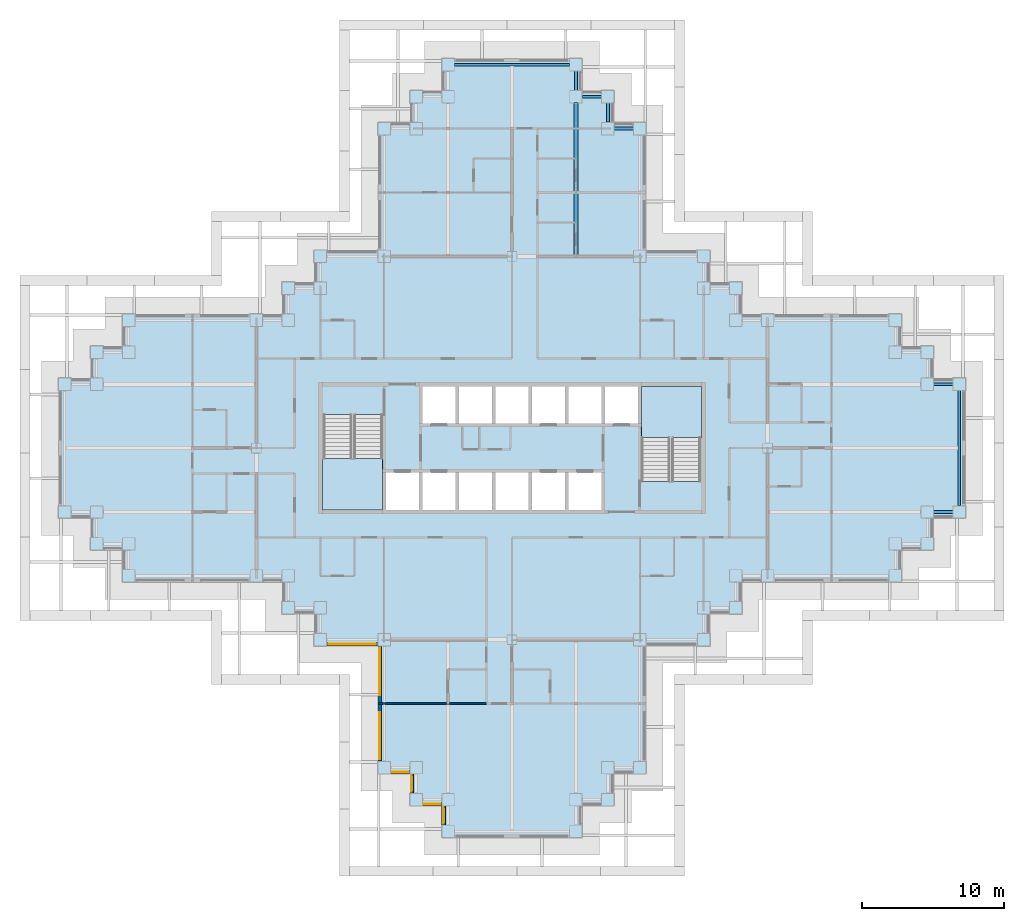
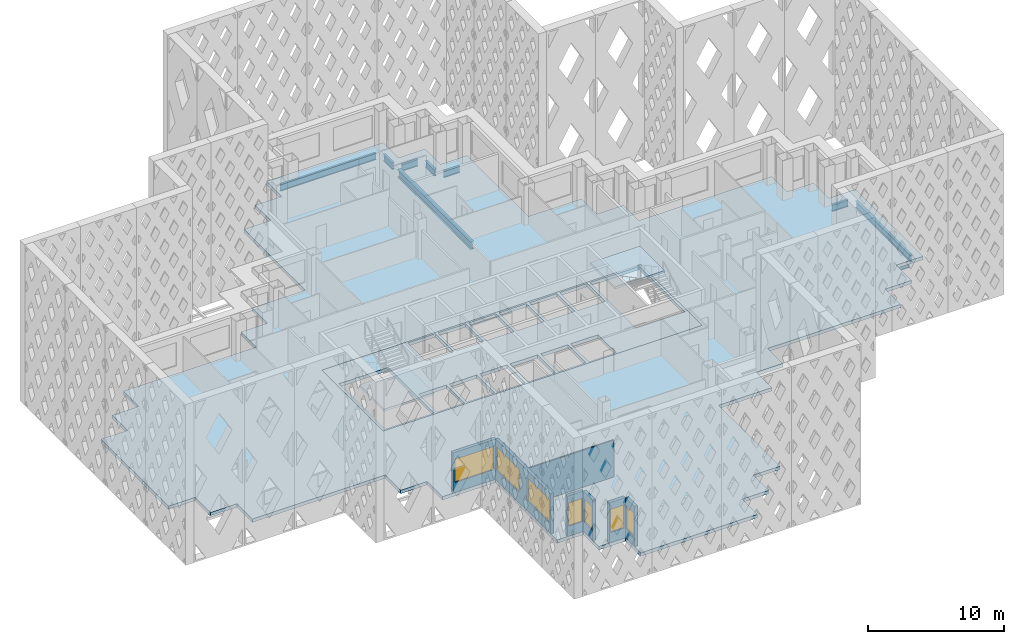
# One storey, part 2 of 21: 9 beams, 7 walls, 7 windows, 4 slabs, 7 openings, 2 elements without a shape of their own.
"""IFC4 building model written with IfcOpenShell, lengths in metres."""

import ifcopenshell
import ifcopenshell.guid

model = None  # the IFC model being written
_history = None  # IfcOwnerHistory: only IFC2X3 demands one
_inside = {}  # id of a spatial element -> (the spatial element, [elements in it])
_under = {}  # id of a project, library or spatial element -> (it, [spatial elements below it])
_declared = {}  # id of a project -> (the project, [libraries it declares])
_typed = {}  # id of a type object -> (the type object, [elements of that type])
_made_of = {}  # id of a material, layer set ... -> (it, [elements and type objects made of it])


def new_model(schema):
    """Start an empty IFC model of exactly this schema.

    Asked for "IFC4X3", IfcOpenShell would pick the latest addendum, in which some entities
    have other attributes; the version numbers below select the first issue.
    IFC2X3 requires an IfcOwnerHistory on every rooted entity: one is made here for all.
    """
    global model, _history
    if schema == "IFC4X3":
        model = ifcopenshell.file(schema_version=(4, 3, 0, 0))
    else:
        model = ifcopenshell.file(schema=schema)
    _inside.clear()
    _under.clear()
    _declared.clear()
    _typed.clear()
    _made_of.clear()
    _history = None
    if model.schema == "IFC2X3":
        org = make("IfcOrganization", Name="unknown")
        user = make(
            "IfcPersonAndOrganization",
            ThePerson=make("IfcPerson", FamilyName="unknown"),
            TheOrganization=org,
        )
        app = make(
            "IfcApplication",
            ApplicationDeveloper=org,
            Version="unknown",
            ApplicationFullName="unknown",
            ApplicationIdentifier="unknown",
        )
        _history = make(
            "IfcOwnerHistory",
            OwningUser=user,
            OwningApplication=app,
            ChangeAction="ADDED",
            CreationDate=0,
        )
    return model


def make(cls, **values):
    """One entity of the class cls with the attributes given. An attribute that is None is left unset."""
    return model.create_entity(
        cls, **{name: value for name, value in values.items() if value is not None}
    )


def rooted(cls, **values):
    """An entity with a GlobalId (a new one), such as an element, a storey or a relation."""
    return make(cls, GlobalId=ifcopenshell.guid.new(), OwnerHistory=_history, **values)


def si_unit(unit_type, name, prefix=None):
    """IfcSIUnit, for example si_unit("LENGTHUNIT", "METRE", prefix="MILLI")."""
    return make("IfcSIUnit", UnitType=unit_type, Prefix=prefix, Name=name)


def assignment(units):
    """IfcUnitAssignment: the units of a project."""
    return None if units is None else make("IfcUnitAssignment", Units=units)


def point(xyz):
    """IfcCartesianPoint."""
    return None if xyz is None else make("IfcCartesianPoint", Coordinates=xyz)


def direction(xyz):
    """IfcDirection."""
    return None if xyz is None else make("IfcDirection", DirectionRatios=xyz)


def frame(location, z_axis=None, x_axis=None):
    """IfcAxis2Placement3D, a coordinate frame: its origin and axes. An axis left out is left unset."""
    return make(
        "IfcAxis2Placement3D",
        Location=point(location),
        Axis=direction(z_axis),
        RefDirection=direction(x_axis),
    )


def frame_2d(location, x_axis=None):
    """IfcAxis2Placement2D, a coordinate frame in the plane: its origin and x axis."""
    return make(
        "IfcAxis2Placement2D", Location=point(location), RefDirection=direction(x_axis)
    )


def origin():
    """The frame at (0, 0, 0) with its axes left unset."""
    return frame((0.0, 0.0, 0.0))


def origin_2d():
    """The frame at (0, 0) in the plane with its x axis left unset."""
    return frame_2d((0.0, 0.0))


def place(relative_to, where):
    """IfcLocalPlacement: puts the frame where relative to a parent placement (None: the world)."""
    return make(
        "IfcLocalPlacement", PlacementRelTo=relative_to, RelativePlacement=where
    )


def context(
    kind, dimensions, precision=None, world=None, true_north=None, identifier=None
):
    """IfcGeometricRepresentationContext, for example the 3D "Model" context."""
    return make(
        "IfcGeometricRepresentationContext",
        ContextIdentifier=identifier,
        ContextType=kind,
        CoordinateSpaceDimension=dimensions,
        Precision=precision,
        WorldCoordinateSystem=world,
        TrueNorth=true_north,
    )


def subcontext(parent, identifier, kind, view, scale=None):
    """IfcGeometricRepresentationSubContext, for example "Body" below "Model"."""
    return make(
        "IfcGeometricRepresentationSubContext",
        ContextIdentifier=identifier,
        ContextType=kind,
        ParentContext=parent,
        TargetScale=scale,
        TargetView=view,
    )


def project(units=None, contexts=None):
    """IfcProject with its units and contexts."""
    return rooted(
        "IfcProject",
        Name="project",
        RepresentationContexts=contexts,
        UnitsInContext=assignment(units),
    )


def spatial(cls, under=None, at=None, **own):
    """A site, building, storey or space (cls), placed at a placement, below another one or the project."""
    s = rooted(cls, ObjectPlacement=at, **own)
    if under is not None:
        _under.setdefault(under.id(), (under, []))[1].append(s)
    return s


def polyline(points):
    """IfcPolyline through the points."""
    return make("IfcPolyline", Points=[point(p) for p in points])


def profile(cls, at=None, kind="AREA", **sizes):
    """A parametric profile (cls). Its sizes go by their IFC names, for example OverallWidth=200.0."""
    return make(cls, ProfileType=kind, Position=at, **sizes)


def rectangle(**sizes):
    """IfcRectangleProfileDef."""
    return profile("IfcRectangleProfileDef", **sizes)


def i_section(**sizes):
    """IfcIShapeProfileDef."""
    return profile("IfcIShapeProfileDef", **sizes)


def outline(outer, holes=None, kind="AREA"):
    """IfcArbitraryClosedProfileDef: a profile drawn as a closed curve; with holes, ...WithVoids."""
    if holes is None:
        return make("IfcArbitraryClosedProfileDef", ProfileType=kind, OuterCurve=outer)
    return make(
        "IfcArbitraryProfileDefWithVoids",
        ProfileType=kind,
        OuterCurve=outer,
        InnerCurves=holes,
    )


def extrude(swept, where, along, depth):
    """IfcExtrudedAreaSolid: the profile swept, set in the frame where, extruded along a direction by depth."""
    return make(
        "IfcExtrudedAreaSolid",
        SweptArea=swept,
        Position=where,
        ExtrudedDirection=direction(along),
        Depth=depth,
    )


def shape(context_of_items, identifier, shape_type, items):
    """IfcShapeRepresentation: the items that make up one representation, for example the "Body"."""
    return make(
        "IfcShapeRepresentation",
        ContextOfItems=context_of_items,
        RepresentationIdentifier=identifier,
        RepresentationType=shape_type,
        Items=items,
    )


def material(Name=None, Category=None):
    """IfcMaterial."""
    return make("IfcMaterial", Name=Name, Category=Category)


def layer(
    of_material, thickness, ventilated=None, Name=None, Category=None, Priority=None
):
    """IfcMaterialLayer: one layer of a wall or slab, of a material (None: an air gap)."""
    return make(
        "IfcMaterialLayer",
        Material=of_material,
        LayerThickness=thickness,
        IsVentilated=ventilated,
        Name=Name,
        Category=Category,
        Priority=Priority,
    )


def layer_set(layers, Name=None):
    """IfcMaterialLayerSet."""
    return make("IfcMaterialLayerSet", MaterialLayers=layers, LayerSetName=Name)


def material_profile(
    of_material, cross_section, Name=None, Category=None, Priority=None
):
    """IfcMaterialProfile: a cross section and its material."""
    return make(
        "IfcMaterialProfile",
        Name=Name,
        Material=of_material,
        Profile=cross_section,
        Priority=Priority,
        Category=Category,
    )


def profile_set(profiles, Name=None, composite=None):
    """IfcMaterialProfileSet."""
    return make(
        "IfcMaterialProfileSet",
        Name=Name,
        MaterialProfiles=profiles,
        CompositeProfile=composite,
    )


def made_of(thing, what):
    """Note that an element or type object is made of a material, layer set ...; save() writes the relation."""
    if what is not None:
        _made_of.setdefault(what.id(), (what, []))[1].append(thing)
    return thing


def type_object(cls, material=None, **own):
    """A type object (cls), such as IfcWallType, which elements share."""
    return made_of(rooted(cls, **own), material)


def element(
    cls,
    number,
    at=None,
    inside=None,
    cuts=None,
    type_object=None,
    material=None,
    context=None,
    identifier="Body",
    shape_type=None,
    held_by="IfcProductDefinitionShape",
    body=None,
    shapes=None,
    **own,
):
    """One element of the class cls, such as IfcWall. Its Tag is "e" and its number.

    at: its placement. inside: the storey or other place that contains it. cuts: it is an
    opening in that element (IfcRelVoidsElement). A single representation is given by context,
    identifier, shape_type and body (its items); several are given by shapes. held_by: the class
    of the entity that holds the representations. save() writes the other relations.
    """
    e = rooted(cls, Tag="e%d" % number, ObjectPlacement=at, **own)
    if body is not None:
        shapes = [shape(context, identifier, shape_type, body)]
    if shapes is not None:
        e.Representation = make(held_by, Representations=shapes)
    if inside is not None:
        _inside.setdefault(inside.id(), (inside, []))[1].append(e)
    if cuts is not None:
        rooted(
            "IfcRelVoidsElement", RelatingBuildingElement=cuts, RelatedOpeningElement=e
        )
    if type_object is not None:
        _typed.setdefault(type_object.id(), (type_object, []))[1].append(e)
    return made_of(e, material)


def fill(opening, filler):
    """IfcRelFillsElement: the door or window that sits in an opening."""
    return rooted(
        "IfcRelFillsElement",
        RelatingOpeningElement=opening,
        RelatedBuildingElement=filler,
    )


def aggregate(whole, parts):
    """IfcRelAggregates: a whole, such as a stair, and the parts it consists of."""
    return rooted("IfcRelAggregates", RelatingObject=whole, RelatedObjects=parts)


def save(model, path):
    """Write the relations noted so far, then the file.

    IfcRelAggregates (storeys below a building ...), IfcRelContainedInSpatialStructure (elements
    in a storey), IfcRelDefinesByType, IfcRelAssociatesMaterial and IfcRelDeclares: one each for
    every whole, place, type object, material and project.
    """
    for whole, parts in _under.values():
        aggregate(whole, parts)
    for where, things in _inside.values():
        rooted(
            "IfcRelContainedInSpatialStructure",
            RelatedElements=things,
            RelatingStructure=where,
        )
    for kind, things in _typed.values():
        rooted("IfcRelDefinesByType", RelatedObjects=things, RelatingType=kind)
    for what, things in _made_of.values():
        rooted("IfcRelAssociatesMaterial", RelatedObjects=things, RelatingMaterial=what)
    for by, libraries in _declared.values():
        rooted("IfcRelDeclares", RelatingContext=by, RelatedDefinitions=libraries)
    model.write(path)


model = new_model("IFC4")

# Units and contexts
model_context = context("Model", 3, precision=1e-05, world=origin(), true_north=direction((0.0, 1.0)))
body_context = subcontext(model_context, "Body", "Model", "MODEL_VIEW")
ifc_project = project(units=[si_unit("LENGTHUNIT", "METRE"), si_unit("AREAUNIT", "SQUARE_METRE"), si_unit("VOLUMEUNIT", "CUBIC_METRE"), si_unit("PLANEANGLEUNIT", "RADIAN"), si_unit("MASSUNIT", "GRAM", prefix="KILO")], contexts=[model_context])

# Site, building, storey
site_placement = place(None, origin())
site = spatial("IfcSite", under=ifc_project, at=site_placement, CompositionType="ELEMENT")
building_placement = place(site_placement, origin())
building = spatial("IfcBuilding", under=site, at=building_placement, Name="Caravel Reach Hotel and Residences", CompositionType="ELEMENT")
storey_placement = place(building_placement, frame((0.0, 0.0, 115.199951171875)))
storey = spatial("IfcBuildingStorey", under=building, at=storey_placement, Name="L28", CompositionType="ELEMENT", Elevation=115.199951171875)

# Beams
ifc_material_1 = material(Name="Structural steel Q355B", Category="steel")
ifc_material_profile_1 = material_profile(ifc_material_1, i_section(OverallWidth=0.300048828125, OverallDepth=0.699951171875, WebThickness=0.012939453125, FlangeThickness=0.02392578125, FilletRadius=0.01806640625, at=origin_2d()), Name="HN 700x300x13x24")
ifc_profile_set_1 = profile_set([ifc_material_profile_1], Name="Structural steel Q355B")
beam_type_1 = type_object("IfcBeamType", Name="Beam HN 700x300x13x24", PredefinedType="BEAM", material=ifc_profile_set_1)
beam_1_placement = place(storey_placement, frame((36.0, 40.60009765625, -0.64990234375), z_axis=(0.0, 1.0, 0.0), x_axis=(-1.0, 0.0, 0.0)))
element("IfcBeam", 1, at=beam_1_placement, inside=storey, type_object=beam_type_1, Name="B2 HN 700x300x13x24", PredefinedType="BEAM", context=body_context, shape_type="SweptSolid", body=[
    extrude(i_section(OverallWidth=0.300048828125, OverallDepth=0.699951171875, WebThickness=0.012939453125, FlangeThickness=0.02392578125, FilletRadius=0.01806640625, at=origin_2d()), origin(), (0.0, 0.0, 1.0), 10.75),
])
ifc_material_2 = material(Name="Structural steel Q355B", Category="steel")
ifc_material_profile_2 = material_profile(ifc_material_2, i_section(OverallWidth=0.199951171875, OverallDepth=0.60009765625, WebThickness=0.010986328125, FlangeThickness=0.01708984375, FilletRadius=0.012939453125, at=origin_2d()), Name="HN 600x200x11x17")
ifc_profile_set_2 = profile_set([ifc_material_profile_2], Name="Structural steel Q355B")
beam_type_2 = type_object("IfcBeamType", Name="Spandrel beam HN 600x200x11x17", PredefinedType="SPANDREL", material=ifc_profile_set_2)
beam_2_placement = place(storey_placement, frame((61.199951171875, 22.5, -0.599853515625), z_axis=(1.0, 0.0, 0.0), x_axis=(0.0, 1.0, 0.0)))
element("IfcBeam", 2, at=beam_2_placement, inside=storey, type_object=beam_type_2, Name="SP1 HN 600x200x11x17", PredefinedType="SPANDREL", context=body_context, shape_type="SweptSolid", body=[
    extrude(i_section(OverallWidth=0.199951171875, OverallDepth=0.60009765625, WebThickness=0.010986328125, FlangeThickness=0.01708984375, FilletRadius=0.012939453125, at=origin_2d()), origin(), (0.0, 0.0, 1.0), 1.35009765625),
])
beam_3_placement = place(storey_placement, frame((63.0, 22.949951171875, -0.599853515625), z_axis=(0.0, 1.0, 0.0), x_axis=(-1.0, 0.0, 0.0)))
element("IfcBeam", 3, at=beam_3_placement, inside=storey, type_object=beam_type_2, Name="SP1 HN 600x200x11x17", PredefinedType="SPANDREL", context=body_context, shape_type="SweptSolid", body=[
    extrude(i_section(OverallWidth=0.199951171875, OverallDepth=0.60009765625, WebThickness=0.010986328125, FlangeThickness=0.01708984375, FilletRadius=0.012939453125, at=origin_2d()), origin(), (0.0, 0.0, 1.0), 8.10009765625),
])
for number, where, z_axis, x_axis, name in (
    (4, (62.550048828125, 31.5, -0.599853515625), (-1.0, 0.0, 0.0), (0.0, -1.0, 0.0), "SP1 HN 600x200x11x17"),
    (5, (40.050048828125, 49.5, -0.599853515625), (-1.0, 0.0, 0.0), (0.0, -1.0, 0.0), "SP1 HN 600x200x11x17"),
    (6, (38.25, 49.949951171875, -0.599853515625), (0.0, 1.0, 0.0), (-1.0, 0.0, 0.0), "SP1 HN 600x200x11x17"),
    (7, (37.800048828125, 51.75, -0.599853515625), (-1.0, 0.0, 0.0), (0.0, -1.0, 0.0), "SP1 HN 600x200x11x17"),
    (8, (36.0, 52.199951171875, -0.599853515625), (0.0, 1.0, 0.0), (-1.0, 0.0, 0.0), "SP1 HN 600x200x11x17"),
):
    element("IfcBeam", number, at=place(storey_placement, frame(where, z_axis=z_axis, x_axis=x_axis)), inside=storey, type_object=beam_type_2, Name=name, PredefinedType="SPANDREL", context=body_context, shape_type="SweptSolid", body=[
        extrude(i_section(OverallWidth=0.199951171875, OverallDepth=0.60009765625, WebThickness=0.010986328125, FlangeThickness=0.01708984375, FilletRadius=0.012939453125, at=origin_2d()), origin(), (0.0, 0.0, 1.0), 1.35009765625),
    ])
beam_4_placement = place(storey_placement, frame((35.550048828125, 54.0, -0.599853515625), z_axis=(-1.0, 0.0, 0.0), x_axis=(0.0, -1.0, 0.0)))
element("IfcBeam", 9, at=beam_4_placement, inside=storey, type_object=beam_type_2, Name="SP1 HN 600x200x11x17", PredefinedType="SPANDREL", context=body_context, shape_type="SweptSolid", body=[
    extrude(i_section(OverallWidth=0.199951171875, OverallDepth=0.60009765625, WebThickness=0.010986328125, FlangeThickness=0.01708984375, FilletRadius=0.012939453125, at=origin_2d()), origin(), (0.0, 0.0, 1.0), 8.10009765625),
])

# Slab
ifc_material_3 = material(Name="Concrete C40", Category="concrete")
ifc_layer_1 = layer(ifc_material_3, 0.300048828125)
ifc_layer_set_1 = layer_set([ifc_layer_1], Name="Core floor slab 300 mm")
slab_type_1 = type_object("IfcSlabType", Name="Core floor slab 300 mm", PredefinedType="FLOOR", material=ifc_layer_set_1)
slab_1_placement = place(storey_placement, frame((0.0, 0.0, -0.300048828125)))
element("IfcSlab", 10, at=slab_1_placement, inside=storey, type_object=slab_type_1, Name="L28 core floor", PredefinedType="FLOOR", context=body_context, shape_type="SweptSolid", body=[
    extrude(outline(polyline([(18.0, 31.5), (45.0, 31.5), (45.0, 22.5), (18.0, 22.5), (18.0, 31.5)]), holes=[polyline([(22.625, 25.27490234375), (22.625, 22.64990234375), (24.9462890625, 22.64990234375), (24.9462890625, 25.27490234375), (22.625, 25.27490234375)]), polyline([(27.517822265625, 25.27490234375), (25.1962890625, 25.27490234375), (25.1962890625, 22.64990234375), (27.517822265625, 22.64990234375), (27.517822265625, 25.27490234375)]), polyline([(30.08935546875, 25.27490234375), (27.767822265625, 25.27490234375), (27.767822265625, 22.64990234375), (30.08935546875, 22.64990234375), (30.08935546875, 25.27490234375)]), polyline([(32.66064453125, 25.27490234375), (30.33935546875, 25.27490234375), (30.33935546875, 22.64990234375), (32.66064453125, 22.64990234375), (32.66064453125, 25.27490234375)]), polyline([(18.22509765625, 22.64990234375), (22.375, 22.64990234375), (22.375, 29.35009765625), (18.22509765625, 29.35009765625), (18.22509765625, 22.64990234375)]), polyline([(27.517822265625, 31.35009765625), (25.1962890625, 31.35009765625), (25.1962890625, 28.72509765625), (27.517822265625, 28.72509765625), (27.517822265625, 31.35009765625)]), polyline([(30.08935546875, 31.35009765625), (27.767822265625, 31.35009765625), (27.767822265625, 28.72509765625), (30.08935546875, 28.72509765625), (30.08935546875, 31.35009765625)]), polyline([(32.91064453125, 25.27490234375), (32.91064453125, 22.64990234375), (35.232177734375, 22.64990234375), (35.232177734375, 25.27490234375), (32.91064453125, 25.27490234375)]), polyline([(37.8037109375, 25.27490234375), (35.482177734375, 25.27490234375), (35.482177734375, 22.64990234375), (37.8037109375, 22.64990234375), (37.8037109375, 25.27490234375)]), polyline([(44.77490234375, 31.35009765625), (40.625, 31.35009765625), (40.625, 24.64990234375), (44.77490234375, 24.64990234375), (44.77490234375, 31.35009765625)]), polyline([(32.66064453125, 31.35009765625), (30.33935546875, 31.35009765625), (30.33935546875, 28.72509765625), (32.66064453125, 28.72509765625), (32.66064453125, 31.35009765625)]), polyline([(35.232177734375, 31.35009765625), (32.91064453125, 31.35009765625), (32.91064453125, 28.72509765625), (35.232177734375, 28.72509765625), (35.232177734375, 31.35009765625)]), polyline([(37.8037109375, 31.35009765625), (35.482177734375, 31.35009765625), (35.482177734375, 28.72509765625), (37.8037109375, 28.72509765625), (37.8037109375, 31.35009765625)]), polyline([(40.375, 31.35009765625), (38.0537109375, 31.35009765625), (38.0537109375, 28.72509765625), (40.375, 28.72509765625), (40.375, 31.35009765625)])]), origin(), (0.0, 0.0, 1.0), 0.300048828125),
])

# Stair, slab
ifc_material_4 = material(Name="Concrete C40", Category="concrete")
stair_type = type_object("IfcStairType", Name="Core stair", PredefinedType="HALF_TURN_STAIR", material=ifc_material_4)
stair_1_placement = place(storey_placement, origin())
stair_1 = element("IfcStair", 11, at=stair_1_placement, inside=storey, type_object=stair_type, Name="L28 Exit stair A", PredefinedType="HALF_TURN_STAIR")
ifc_material_5 = material(Name="Concrete C40", Category="concrete")
ifc_layer_2 = layer(ifc_material_5, 0.199951171875)
ifc_layer_set_2 = layer_set([ifc_layer_2], Name="Core stair landing")
slab_type_2 = type_object("IfcSlabType", Name="Core stair landing", PredefinedType="LANDING", material=ifc_layer_set_2)
slab_2_placement = place(storey_placement, frame((0.0, 0.0, 1.60009765625)))
slab_2 = element("IfcSlab", 12, at=slab_2_placement, type_object=slab_type_2, Name="ST-A landing 1", PredefinedType="LANDING", context=body_context, shape_type="SweptSolid", body=[
    extrude(outline(polyline([(18.14990234375, 26.27001953125), (18.14990234375, 22.64990234375), (22.375, 22.64990234375), (22.375, 26.27001953125), (18.14990234375, 26.27001953125)])), origin(), (0.0, 0.0, 1.0), 0.199951171875),
])
aggregate(stair_1, [slab_2])

stair_2_placement = place(storey_placement, origin())
stair_2 = element("IfcStair", 13, at=stair_2_placement, inside=storey, type_object=stair_type, Name="L28 Exit stair B", PredefinedType="HALF_TURN_STAIR")
slab_3_placement = place(storey_placement, frame((0.0, 0.0, 1.60009765625)))
slab_3 = element("IfcSlab", 14, at=slab_3_placement, type_object=slab_type_2, Name="ST-B landing 1", PredefinedType="LANDING", context=body_context, shape_type="SweptSolid", body=[
    extrude(outline(polyline([(44.85009765625, 27.72998046875), (44.85009765625, 31.35009765625), (40.625, 31.35009765625), (40.625, 27.72998046875), (44.85009765625, 27.72998046875)])), origin(), (0.0, 0.0, 1.0), 0.199951171875),
])
aggregate(stair_2, [slab_3])

# Slab
ifc_material_6 = material(Name="Concrete C40 post-tensioned", Category="concrete")
ifc_layer_3 = layer(ifc_material_6, 0.300048828125)
ifc_layer_set_3 = layer_set([ifc_layer_3], Name="Floor slab 300")
slab_type_3 = type_object("IfcSlabType", Name="Floor slab 300", PredefinedType="FLOOR", material=ifc_layer_set_3)
slab_4_placement = place(storey_placement, frame((0.0, 0.0, -0.300048828125)))
element("IfcSlab", 15, at=slab_4_placement, inside=storey, type_object=slab_type_3, Name="S2 slab L28", PredefinedType="FLOOR", context=body_context, shape_type="SweptSolid", body=[
    extrude(outline(polyline([(17.550048828125, 13.050048828125), (17.550048828125, 15.300048828125), (15.300048828125, 15.300048828125), (15.300048828125, 17.550048828125), (4.050048828125, 17.550048828125), (4.050048828125, 19.800048828125), (1.800048828125, 19.800048828125), (1.800048828125, 22.050048828125), (-0.449951171875, 22.050048828125), (-0.449951171875, 31.949951171875), (1.800048828125, 31.949951171875), (1.800048828125, 34.199951171875), (4.050048828125, 34.199951171875), (4.050048828125, 36.449951171875), (15.300048828125, 36.449951171875), (15.300048828125, 38.699951171875), (17.550048828125, 38.699951171875), (17.550048828125, 40.949951171875), (22.050048828125, 40.949951171875), (22.050048828125, 49.949951171875), (24.300048828125, 49.949951171875), (24.300048828125, 52.199951171875), (26.550048828125, 52.199951171875), (26.550048828125, 54.449951171875), (36.449951171875, 54.449951171875), (36.449951171875, 52.199951171875), (38.699951171875, 52.199951171875), (38.699951171875, 49.949951171875), (40.949951171875, 49.949951171875), (40.949951171875, 40.949951171875), (45.449951171875, 40.949951171875), (45.449951171875, 38.699951171875), (47.699951171875, 38.699951171875), (47.699951171875, 36.449951171875), (58.949951171875, 36.449951171875), (58.949951171875, 34.199951171875), (61.199951171875, 34.199951171875), (61.199951171875, 31.949951171875), (63.449951171875, 31.949951171875), (63.449951171875, 22.050048828125), (61.199951171875, 22.050048828125), (61.199951171875, 19.800048828125), (58.949951171875, 19.800048828125), (58.949951171875, 17.550048828125), (47.699951171875, 17.550048828125), (47.699951171875, 15.300048828125), (45.449951171875, 15.300048828125), (45.449951171875, 13.050048828125), (40.949951171875, 13.050048828125), (40.949951171875, 4.050048828125), (38.699951171875, 4.050048828125), (38.699951171875, 1.800048828125), (36.449951171875, 1.800048828125), (36.449951171875, -0.449951171875), (26.550048828125, -0.449951171875), (26.550048828125, 1.800048828125), (24.300048828125, 1.800048828125), (24.300048828125, 4.050048828125), (22.050048828125, 4.050048828125), (22.050048828125, 13.050048828125), (17.550048828125, 13.050048828125)]), holes=[polyline([(45.0, 31.5), (18.0, 31.5), (18.0, 22.5), (45.0, 22.5), (45.0, 31.5)])]), origin(), (0.0, 0.0, 1.0), 0.300048828125),
])

# Wall, opening, window
ifc_material_7 = material(Name="Insulated rainscreen wall, aluminium cladding", Category="aluminium")
ifc_layer_4 = layer(ifc_material_7, 0.25)
ifc_layer_set_4 = layer_set([ifc_layer_4], Name="EW1 Tower rainscreen wall")
wall_type_1 = type_object("IfcWallType", Name="EW1 Tower rainscreen wall", PredefinedType="SOLIDWALL", material=ifc_layer_set_4)
wall_1_placement = place(storey_placement, frame((22.949951171875, 4.175048828125, 0.0), z_axis=(0.0, 0.0, 1.0), x_axis=(1.0, 0.0, 0.0)))
wall_1 = element("IfcWall", 16, at=wall_1_placement, inside=storey, type_object=wall_type_1, Name="External wall L28 S1.1", PredefinedType="SOLIDWALL", context=body_context, shape_type="SweptSolid", body=[
    extrude(rectangle(XDim=1.35009765625, YDim=0.25, at=frame_2d((0.675048828125, 0.0))), origin(), (0.0, 0.0, 1.0), 3.60009765625),
])
opening_1_placement = place(wall_1_placement, frame((0.10009765625, 0.0, 0.89990234375)))
opening_1 = element("IfcOpeningElement", 17, at=opening_1_placement, cuts=wall_1, Name="Opening WN8", PredefinedType="OPENING", context=body_context, shape_type="SweptSolid", body=[
    extrude(rectangle(XDim=1.14990234375, YDim=2.080078125, at=frame_2d((0.574951171875, 1.0400390625))), frame((0.0, 0.135009765625, 0.0), z_axis=(0.0, -1.0, 0.0), x_axis=(1.0, 0.0, 0.0)), (0.0, 0.0, 1.0), 0.27001953125),
])
ifc_material_8 = material(Name="Dark low-e glazing in black aluminium frame", Category="aluminium")
window_type_1 = type_object("IfcWindowType", Name="Hotel suite corner window 1150 x 2080", PartitioningType="SINGLE_PANEL", PredefinedType="WINDOW", material=ifc_material_8)
window_1_placement = place(opening_1_placement, origin())
window_1 = element("IfcWindow", 18, at=window_1_placement, inside=storey, type_object=window_type_1, Name="Window L28 S1.1.1", OverallHeight=2.080078125, OverallWidth=1.14990234375, PartitioningType="SINGLE_PANEL", PredefinedType="WINDOW", context=body_context, shape_type="SweptSolid", body=[
    extrude(rectangle(XDim=1.14990234375, YDim=2.080078125, at=frame_2d((0.574951171875, 1.0400390625))), frame((0.0, 0.030029296875, 0.0), z_axis=(0.0, -1.0, 0.0), x_axis=(1.0, 0.0, 0.0)), (0.0, 0.0, 1.0), 0.06005859375),
])
fill(opening_1, window_1)

wall_2_placement = place(storey_placement, frame((24.425048828125, 4.050048828125, 0.0), z_axis=(0.0, 0.0, 1.0), x_axis=(0.0, -1.0, 0.0)))
wall_2 = element("IfcWall", 19, at=wall_2_placement, inside=storey, type_object=wall_type_1, Name="External wall L28 W2.1", PredefinedType="SOLIDWALL", context=body_context, shape_type="SweptSolid", body=[
    extrude(rectangle(XDim=1.35009765625, YDim=0.25, at=frame_2d((0.675048828125, 0.0))), origin(), (0.0, 0.0, 1.0), 3.60009765625),
])
opening_2_placement = place(wall_2_placement, frame((0.10009765625, 0.0, 0.89990234375)))
opening_2 = element("IfcOpeningElement", 20, at=opening_2_placement, cuts=wall_2, Name="Opening WN8", PredefinedType="OPENING", context=body_context, shape_type="SweptSolid", body=[
    extrude(rectangle(XDim=1.14990234375, YDim=2.080078125, at=frame_2d((0.574951171875, 1.0400390625))), frame((0.0, 0.135009765625, 0.0), z_axis=(0.0, -1.0, 0.0), x_axis=(1.0, 0.0, 0.0)), (0.0, 0.0, 1.0), 0.27001953125),
])
window_2_placement = place(opening_2_placement, origin())
window_2 = element("IfcWindow", 21, at=window_2_placement, inside=storey, type_object=window_type_1, Name="Window L28 W2.1.1", OverallHeight=2.080078125, OverallWidth=1.14990234375, PartitioningType="SINGLE_PANEL", PredefinedType="WINDOW", context=body_context, shape_type="SweptSolid", body=[
    extrude(rectangle(XDim=1.14990234375, YDim=2.080078125, at=frame_2d((0.574951171875, 1.0400390625))), frame((0.0, 0.030029296875, 0.0), z_axis=(0.0, -1.0, 0.0), x_axis=(1.0, 0.0, 0.0)), (0.0, 0.0, 1.0), 0.06005859375),
])
fill(opening_2, window_2)

wall_3_placement = place(storey_placement, frame((25.199951171875, 1.925048828125, 0.0), z_axis=(0.0, 0.0, 1.0), x_axis=(1.0, 0.0, 0.0)))
wall_3 = element("IfcWall", 22, at=wall_3_placement, inside=storey, type_object=wall_type_1, Name="External wall L28 S3.1", PredefinedType="SOLIDWALL", context=body_context, shape_type="SweptSolid", body=[
    extrude(rectangle(XDim=1.35009765625, YDim=0.25, at=frame_2d((0.675048828125, 0.0))), origin(), (0.0, 0.0, 1.0), 3.60009765625),
])
opening_3_placement = place(wall_3_placement, frame((0.10009765625, 0.0, 0.89990234375)))
opening_3 = element("IfcOpeningElement", 23, at=opening_3_placement, cuts=wall_3, Name="Opening WN8", PredefinedType="OPENING", context=body_context, shape_type="SweptSolid", body=[
    extrude(rectangle(XDim=1.14990234375, YDim=2.080078125, at=frame_2d((0.574951171875, 1.0400390625))), frame((0.0, 0.135009765625, 0.0), z_axis=(0.0, -1.0, 0.0), x_axis=(1.0, 0.0, 0.0)), (0.0, 0.0, 1.0), 0.27001953125),
])
window_3_placement = place(opening_3_placement, origin())
window_3 = element("IfcWindow", 24, at=window_3_placement, inside=storey, type_object=window_type_1, Name="Window L28 S3.1.1", OverallHeight=2.080078125, OverallWidth=1.14990234375, PartitioningType="SINGLE_PANEL", PredefinedType="WINDOW", context=body_context, shape_type="SweptSolid", body=[
    extrude(rectangle(XDim=1.14990234375, YDim=2.080078125, at=frame_2d((0.574951171875, 1.0400390625))), frame((0.0, 0.030029296875, 0.0), z_axis=(0.0, -1.0, 0.0), x_axis=(1.0, 0.0, 0.0)), (0.0, 0.0, 1.0), 0.06005859375),
])
fill(opening_3, window_3)

wall_4_placement = place(storey_placement, frame((26.675048828125, 1.800048828125, 0.0), z_axis=(0.0, 0.0, 1.0), x_axis=(0.0, -1.0, 0.0)))
wall_4 = element("IfcWall", 25, at=wall_4_placement, inside=storey, type_object=wall_type_1, Name="External wall L28 W4.1", PredefinedType="SOLIDWALL", context=body_context, shape_type="SweptSolid", body=[
    extrude(rectangle(XDim=1.35009765625, YDim=0.25, at=frame_2d((0.675048828125, 0.0))), origin(), (0.0, 0.0, 1.0), 3.60009765625),
])
opening_4_placement = place(wall_4_placement, frame((0.10009765625, 0.0, 0.89990234375)))
opening_4 = element("IfcOpeningElement", 26, at=opening_4_placement, cuts=wall_4, Name="Opening WN8", PredefinedType="OPENING", context=body_context, shape_type="SweptSolid", body=[
    extrude(rectangle(XDim=1.14990234375, YDim=2.080078125, at=frame_2d((0.574951171875, 1.0400390625))), frame((0.0, 0.135009765625, 0.0), z_axis=(0.0, -1.0, 0.0), x_axis=(1.0, 0.0, 0.0)), (0.0, 0.0, 1.0), 0.27001953125),
])
window_4_placement = place(opening_4_placement, origin())
window_4 = element("IfcWindow", 27, at=window_4_placement, inside=storey, type_object=window_type_1, Name="Window L28 W4.1.1", OverallHeight=2.080078125, OverallWidth=1.14990234375, PartitioningType="SINGLE_PANEL", PredefinedType="WINDOW", context=body_context, shape_type="SweptSolid", body=[
    extrude(rectangle(XDim=1.14990234375, YDim=2.080078125, at=frame_2d((0.574951171875, 1.0400390625))), frame((0.0, 0.030029296875, 0.0), z_axis=(0.0, -1.0, 0.0), x_axis=(1.0, 0.0, 0.0)), (0.0, 0.0, 1.0), 0.06005859375),
])
fill(opening_4, window_4)

wall_5_placement = place(storey_placement, frame((18.449951171875, 13.175048828125, 0.0), z_axis=(0.0, 0.0, 1.0), x_axis=(1.0, 0.0, 0.0)))
wall_5 = element("IfcWall", 28, at=wall_5_placement, inside=storey, type_object=wall_type_1, Name="External wall L28 S59.1", PredefinedType="SOLIDWALL", context=body_context, shape_type="SweptSolid", body=[
    extrude(rectangle(XDim=3.60009765625, YDim=0.25, at=frame_2d((1.800048828125, 0.0))), origin(), (0.0, 0.0, 1.0), 3.60009765625),
])
opening_5_placement = place(wall_5_placement, frame((0.14990234375, 0.0, 0.89990234375)))
opening_5 = element("IfcOpeningElement", 29, at=opening_5_placement, cuts=wall_5, Name="Opening WN4", PredefinedType="OPENING", context=body_context, shape_type="SweptSolid", body=[
    extrude(rectangle(XDim=3.300048828125, YDim=2.080078125, at=frame_2d((1.64990234375, 1.0400390625))), frame((0.0, 0.135009765625, 0.0), z_axis=(0.0, -1.0, 0.0), x_axis=(1.0, 0.0, 0.0)), (0.0, 0.0, 1.0), 0.27001953125),
])
ifc_material_9 = material(Name="Dark low-e glazing in black aluminium frame", Category="aluminium")
window_type_2 = type_object("IfcWindowType", Name="Hotel guest room window 3300 x 2080", PartitioningType="SINGLE_PANEL", PredefinedType="WINDOW", material=ifc_material_9)
window_5_placement = place(opening_5_placement, origin())
window_5 = element("IfcWindow", 30, at=window_5_placement, inside=storey, type_object=window_type_2, Name="Window L28 S59.1.1", OverallHeight=2.080078125, OverallWidth=3.300048828125, PartitioningType="SINGLE_PANEL", PredefinedType="WINDOW", context=body_context, shape_type="SweptSolid", body=[
    extrude(rectangle(XDim=3.300048828125, YDim=2.080078125, at=frame_2d((1.64990234375, 1.0400390625))), frame((0.0, 0.030029296875, 0.0), z_axis=(0.0, -1.0, 0.0), x_axis=(1.0, 0.0, 0.0)), (0.0, 0.0, 1.0), 0.06005859375),
])
fill(opening_5, window_5)

# Wall, openings, windows
wall_6_placement = place(storey_placement, frame((22.175048828125, 13.050048828125, 0.0), z_axis=(0.0, 0.0, 1.0), x_axis=(0.0, -1.0, 0.0)))
wall_6 = element("IfcWall", 31, at=wall_6_placement, inside=storey, type_object=wall_type_1, Name="External wall L28 W60.1", PredefinedType="SOLIDWALL", context=body_context, shape_type="SweptSolid", body=[
    extrude(rectangle(XDim=8.10009765625, YDim=0.25, at=frame_2d((4.050048828125, 0.0))), origin(), (0.0, 0.0, 1.0), 3.60009765625),
])
opening_6_placement = place(wall_6_placement, frame((0.14990234375, 0.0, 0.89990234375)))
opening_6 = element("IfcOpeningElement", 32, at=opening_6_placement, cuts=wall_6, Name="Opening WN4", PredefinedType="OPENING", context=body_context, shape_type="SweptSolid", body=[
    extrude(rectangle(XDim=3.300048828125, YDim=2.080078125, at=frame_2d((1.64990234375, 1.0400390625))), frame((0.0, 0.135009765625, 0.0), z_axis=(0.0, -1.0, 0.0), x_axis=(1.0, 0.0, 0.0)), (0.0, 0.0, 1.0), 0.27001953125),
])
opening_7_placement = place(wall_6_placement, frame((4.64990234375, 0.0, 0.89990234375)))
opening_7 = element("IfcOpeningElement", 33, at=opening_7_placement, cuts=wall_6, Name="Opening WN4", PredefinedType="OPENING", context=body_context, shape_type="SweptSolid", body=[
    extrude(rectangle(XDim=3.300048828125, YDim=2.080078125, at=frame_2d((1.64990234375, 1.0400390625))), frame((0.0, 0.135009765625, 0.0), z_axis=(0.0, -1.0, 0.0), x_axis=(1.0, 0.0, 0.0)), (0.0, 0.0, 1.0), 0.27001953125),
])
window_6_placement = place(opening_6_placement, origin())
window_6 = element("IfcWindow", 34, at=window_6_placement, inside=storey, type_object=window_type_2, Name="Window L28 W60.1.1", OverallHeight=2.080078125, OverallWidth=3.300048828125, PartitioningType="SINGLE_PANEL", PredefinedType="WINDOW", context=body_context, shape_type="SweptSolid", body=[
    extrude(rectangle(XDim=3.300048828125, YDim=2.080078125, at=frame_2d((1.64990234375, 1.0400390625))), frame((0.0, 0.030029296875, 0.0), z_axis=(0.0, -1.0, 0.0), x_axis=(1.0, 0.0, 0.0)), (0.0, 0.0, 1.0), 0.06005859375),
])
fill(opening_6, window_6)
window_7_placement = place(opening_7_placement, origin())
window_7 = element("IfcWindow", 35, at=window_7_placement, inside=storey, type_object=window_type_2, Name="Window L28 W60.1.2", OverallHeight=2.080078125, OverallWidth=3.300048828125, PartitioningType="SINGLE_PANEL", PredefinedType="WINDOW", context=body_context, shape_type="SweptSolid", body=[
    extrude(rectangle(XDim=3.300048828125, YDim=2.080078125, at=frame_2d((1.64990234375, 1.0400390625))), frame((0.0, 0.030029296875, 0.0), z_axis=(0.0, -1.0, 0.0), x_axis=(1.0, 0.0, 0.0)), (0.0, 0.0, 1.0), 0.06005859375),
])
fill(opening_7, window_7)

# Wall
ifc_material_10 = material(Name="Gypsum board on steel stud", Category="steel")
ifc_layer_5 = layer(ifc_material_10, 0.10009765625)
ifc_layer_set_5 = layer_set([ifc_layer_5], Name="Partition 100 mm")
wall_type_2 = type_object("IfcWallType", Name="Partition 100 mm", PredefinedType="PARTITIONING", material=ifc_layer_set_5)
wall_7_placement = place(storey_placement, frame((22.110107421875, 9.0, 0.0), z_axis=(0.0, 0.0, 1.0), x_axis=(1.0, 0.0, 0.0)))
element("IfcWall", 36, at=wall_7_placement, inside=storey, type_object=wall_type_2, Name="L28 wall w048", PredefinedType="PARTITIONING", context=body_context, shape_type="SweptSolid", body=[
    extrude(rectangle(XDim=7.58984375, YDim=0.10009765625, at=frame_2d((3.794921875, 0.0))), origin(), (0.0, 0.0, 1.0), 3.300048828125),
])

save(model, "model.ifc")
